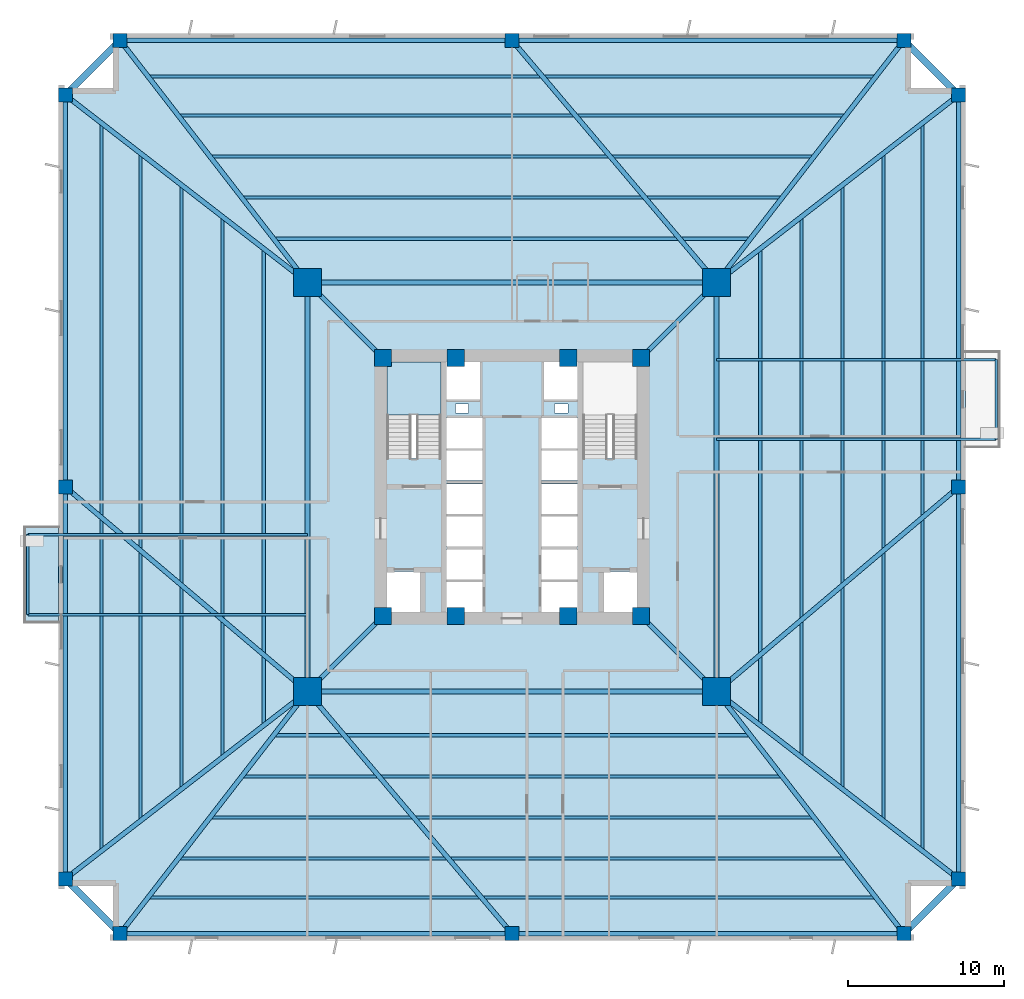
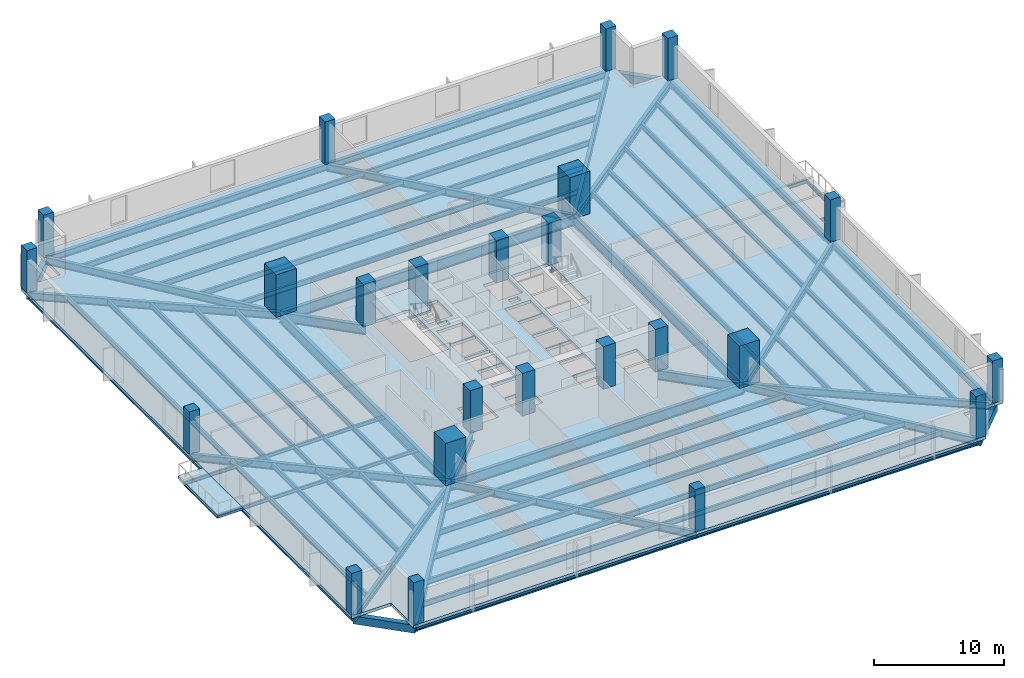
# One storey, part 1 of 9: 58 beams, 24 columns, 3 slabs, 1 element without a shape of its own.
"""IFC4 building model written with IfcOpenShell, lengths in metres."""

from ifc_helpers import new_model, si_unit, direction, frame, origin, origin_2d, place, context, subcontext, project, spatial, polyline, rectangle, i_section, outline, extrude, source, transform, mapped, material, layer, layer_set, material_profile, profile_set, type_object, element, aggregate, save


model = new_model("IFC4")

# Units and contexts
model_context = context("Model", 3, precision=1e-05, world=origin(), true_north=direction((0.0, 1.0)))
body_context = subcontext(model_context, "Body", "Model", "MODEL_VIEW")
ifc_project = project(units=[si_unit("LENGTHUNIT", "METRE"), si_unit("AREAUNIT", "SQUARE_METRE"), si_unit("VOLUMEUNIT", "CUBIC_METRE"), si_unit("PLANEANGLEUNIT", "RADIAN"), si_unit("MASSUNIT", "GRAM", prefix="KILO"), si_unit("THERMODYNAMICTEMPERATUREUNIT", "KELVIN")], contexts=[model_context])

# Site, building, storey
site_placement = place(None, origin())
site = spatial("IfcSite", under=ifc_project, at=site_placement, CompositionType="ELEMENT")
building_placement = place(site_placement, origin())
building = spatial("IfcBuilding", under=site, at=building_placement, Name="Kosmvard Interchange Tower", CompositionType="ELEMENT")
storey_placement = place(building_placement, frame((0.0, 0.0, 58.0)))
storey = spatial("IfcBuildingStorey", under=building, at=storey_placement, Name="L13", CompositionType="ELEMENT", Elevation=58.0)

# Columns
ifc_material_1 = material(Name="Concrete C80/95", Category="concrete")
ifc_material_profile_1 = material_profile(ifc_material_1, rectangle(XDim=1.10009765625, YDim=1.10009765625, at=origin_2d()), Name="CP 1100x1100")
ifc_profile_set_1 = profile_set([ifc_material_profile_1], Name="Concrete C80/95")
column_type_1 = type_object("IfcColumnType", Name="Core Boundary Pilaster 1100x1100 C80/95", PredefinedType="PILASTER", material=ifc_profile_set_1)
shared_shape_1 = source(origin(), body_context, "Body", "SweptSolid", [
    extrude(rectangle(XDim=1.10009765625, YDim=1.10009765625, at=origin_2d()), origin(), (0.0, 0.0, 1.0), 4.0),
])
for number, where, z_axis, x_axis, name in (
    (1, (-8.25, -8.25, 0.0), (0.0, 0.0, 1.0), (1.0, 0.0, 0.0), "L13 Core Pilaster CP1"),
    (2, (8.25, -8.25, 0.0), (0.0, 0.0, 1.0), (1.0, 0.0, 0.0), "L13 Core Pilaster CP2"),
    (3, (8.25, 8.25, 0.0), (0.0, 0.0, 1.0), (1.0, 0.0, 0.0), "L13 Core Pilaster CP3"),
    (4, (-8.25, 8.25, 0.0), (0.0, 0.0, 1.0), (1.0, 0.0, 0.0), "L13 Core Pilaster CP4"),
    (5, (-3.60009765625, -8.25, 0.0), (0.0, 0.0, 1.0), (1.0, 0.0, 0.0), "L13 Core Pilaster CP5"),
    (6, (3.60009765625, -8.25, 0.0), (0.0, 0.0, 1.0), (1.0, 0.0, 0.0), "L13 Core Pilaster CP6"),
    (7, (-3.60009765625, 8.25, 0.0), (0.0, 0.0, 1.0), (1.0, 0.0, 0.0), "L13 Core Pilaster CP7"),
    (8, (3.60009765625, 8.25, 0.0), (0.0, 0.0, 1.0), (1.0, 0.0, 0.0), "L13 Core Pilaster CP8"),
):
    element("IfcColumn", number, at=place(storey_placement, frame(where, z_axis=z_axis, x_axis=x_axis)), inside=storey, type_object=column_type_1, Name=name, PredefinedType="PILASTER", context=body_context, shape_type="MappedRepresentation", body=[
        mapped(shared_shape_1, transform((0.0, 0.0, 0.0), scale=1.0)),
    ])
ifc_material_profile_2 = material_profile(ifc_material_1, rectangle(XDim=1.800048828125, YDim=1.800048828125, at=origin_2d()), Name="MC 1800x1800")
ifc_profile_set_2 = profile_set([ifc_material_profile_2], Name="Concrete C80/95")
column_type_2 = type_object("IfcColumnType", Name="Composite Mega-Column 1800x1800 C80/95", PredefinedType="COLUMN", material=ifc_profile_set_2)
shared_shape_2 = source(origin(), body_context, "Body", "SweptSolid", [
    extrude(rectangle(XDim=1.800048828125, YDim=1.800048828125, at=origin_2d()), origin(), (0.0, 0.0, 1.0), 4.0),
])
for number, where, z_axis, x_axis, name in (
    (9, (-13.0810546875, -13.0810546875, 0.0), (0.0, 0.0, 1.0), (1.0, 0.0, 0.0), "L13 Corner Mega-Column MC1"),
    (10, (13.0810546875, -13.0810546875, 0.0), (0.0, 0.0, 1.0), (1.0, 0.0, 0.0), "L13 Corner Mega-Column MC2"),
    (11, (13.0810546875, 13.0810546875, 0.0), (0.0, 0.0, 1.0), (1.0, 0.0, 0.0), "L13 Corner Mega-Column MC3"),
    (12, (-13.0810546875, 13.0810546875, 0.0), (0.0, 0.0, 1.0), (1.0, 0.0, 0.0), "L13 Corner Mega-Column MC4"),
):
    element("IfcColumn", number, at=place(storey_placement, frame(where, z_axis=z_axis, x_axis=x_axis)), inside=storey, type_object=column_type_2, Name=name, PredefinedType="COLUMN", context=body_context, shape_type="MappedRepresentation", body=[
        mapped(shared_shape_2, transform((0.0, 0.0, 0.0), scale=1.0)),
    ])
ifc_material_2 = material(Name="Concrete C60/75", Category="concrete")
ifc_material_profile_3 = material_profile(ifc_material_2, rectangle(XDim=0.89990234375, YDim=0.89990234375, at=origin_2d()), Name="TC 900x900")
ifc_profile_set_3 = profile_set([ifc_material_profile_3], Name="Concrete C60/75")
column_type_3 = type_object("IfcColumnType", Name="Zone 1 Perimeter Pier Column 900x900 C60/75", PredefinedType="COLUMN", material=ifc_profile_set_3)
shared_shape_3 = source(origin(), body_context, "Body", "SweptSolid", [
    extrude(rectangle(XDim=0.89990234375, YDim=0.89990234375, at=origin_2d()), origin(), (0.0, 0.0, 1.0), 4.0),
])
for number, where, z_axis, x_axis, name in (
    (13, (-25.050048828125, -28.550048828125, 0.0), (0.0, 0.0, 1.0), (1.0, 0.0, 0.0), "L13 Perimeter Pier Column TC-S1"),
    (14, (0.0, -28.550048828125, 0.0), (0.0, 0.0, 1.0), (1.0, 0.0, 0.0), "L13 Perimeter Pier Column TC-S2"),
    (15, (25.050048828125, -28.550048828125, 0.0), (0.0, 0.0, 1.0), (1.0, 0.0, 0.0), "L13 Perimeter Pier Column TC-S3"),
    (16, (28.550048828125, -25.050048828125, 0.0), (0.0, 0.0, 1.0), (1.0, 0.0, 0.0), "L13 Perimeter Pier Column TC-E1"),
    (17, (28.550048828125, 0.0, 0.0), (0.0, 0.0, 1.0), (1.0, 0.0, 0.0), "L13 Perimeter Pier Column TC-E2"),
    (18, (28.550048828125, 25.050048828125, 0.0), (0.0, 0.0, 1.0), (1.0, 0.0, 0.0), "L13 Perimeter Pier Column TC-E3"),
    (19, (25.050048828125, 28.550048828125, 0.0), (0.0, 0.0, 1.0), (1.0, 0.0, 0.0), "L13 Perimeter Pier Column TC-N1"),
    (20, (0.0, 28.550048828125, 0.0), (0.0, 0.0, 1.0), (1.0, 0.0, 0.0), "L13 Perimeter Pier Column TC-N2"),
    (21, (-25.050048828125, 28.550048828125, 0.0), (0.0, 0.0, 1.0), (1.0, 0.0, 0.0), "L13 Perimeter Pier Column TC-N3"),
    (22, (-28.550048828125, 25.050048828125, 0.0), (0.0, 0.0, 1.0), (1.0, 0.0, 0.0), "L13 Perimeter Pier Column TC-W1"),
    (23, (-28.550048828125, 0.0, 0.0), (0.0, 0.0, 1.0), (1.0, 0.0, 0.0), "L13 Perimeter Pier Column TC-W2"),
    (24, (-28.550048828125, -25.050048828125, 0.0), (0.0, 0.0, 1.0), (1.0, 0.0, 0.0), "L13 Perimeter Pier Column TC-W3"),
):
    element("IfcColumn", number, at=place(storey_placement, frame(where, z_axis=z_axis, x_axis=x_axis)), inside=storey, type_object=column_type_3, Name=name, PredefinedType="COLUMN", context=body_context, shape_type="MappedRepresentation", body=[
        mapped(shared_shape_3, transform((0.0, 0.0, 0.0), scale=1.0)),
    ])

# Beams
ifc_material_3 = material(Name="Steel S460", Category="steel")
ifc_material_profile_4 = material_profile(ifc_material_3, i_section(OverallWidth=0.30810546875, OverallDepth=0.909912109375, WebThickness=0.02099609375, FlangeThickness=0.0400390625, FilletRadius=0.027099609375, at=origin_2d()), Name="HEM 900")
ifc_profile_set_4 = profile_set([ifc_material_profile_4], Name="Steel S460")
beam_type_1 = type_object("IfcBeamType", Name="Primary Mega-Frame Girder HEM 900 S460", PredefinedType="BEAM", material=ifc_profile_set_4)
shared_shape_4 = source(origin(), body_context, "Body", "SweptSolid", [
    extrude(i_section(OverallWidth=0.30810546875, OverallDepth=0.909912109375, WebThickness=0.02099609375, FlangeThickness=0.0400390625, FilletRadius=0.027099609375, at=origin_2d()), origin(), (0.0, 0.0, 1.0), 6.83203125),
])
for number, where, z_axis, x_axis, name in (
    (25, (-8.25, -8.25, -0.735107421875), (-0.707106781187, -0.707106781187, 0.0), (0.707106781187, -0.707106781187, 0.0), "L13 Radial Mega-Frame Girder 1"),
    (26, (8.25, -8.25, -0.735107421875), (0.707106781187, -0.707106781187, 0.0), (0.707106781187, 0.707106781187, 0.0), "L13 Radial Mega-Frame Girder 2"),
    (27, (8.25, 8.25, -0.735107421875), (0.707106781187, 0.707106781187, 0.0), (-0.707106781187, 0.707106781187, 0.0), "L13 Radial Mega-Frame Girder 3"),
    (28, (-8.25, 8.25, -0.735107421875), (-0.707106781187, 0.707106781187, 0.0), (-0.707106781187, -0.707106781187, 0.0), "L13 Radial Mega-Frame Girder 4"),
):
    element("IfcBeam", number, at=place(storey_placement, frame(where, z_axis=z_axis, x_axis=x_axis)), inside=storey, type_object=beam_type_1, Name=name, PredefinedType="BEAM", context=body_context, shape_type="MappedRepresentation", body=[
        mapped(shared_shape_4, transform((0.0, 0.0, 0.0), scale=1.0)),
    ])
ifc_material_profile_5 = material_profile(ifc_material_3, i_section(OverallWidth=0.30908203125, OverallDepth=1.008056640625, WebThickness=0.02099609375, FlangeThickness=0.0400390625, FilletRadius=0.030029296875, at=origin_2d()), Name="HEM 1000")
ifc_profile_set_5 = profile_set([ifc_material_profile_5], Name="Steel S460")
beam_type_2 = type_object("IfcBeamType", Name="Mega-Column Ring Girder HEM 1000 S460", PredefinedType="BEAM", material=ifc_profile_set_5)
shared_shape_5 = source(origin(), body_context, "Body", "SweptSolid", [
    extrude(i_section(OverallWidth=0.30908203125, OverallDepth=1.008056640625, WebThickness=0.02099609375, FlangeThickness=0.0400390625, FilletRadius=0.030029296875, at=origin_2d()), origin(), (0.0, 0.0, 1.0), 26.162109375),
])
for number, where, z_axis, x_axis, name in (
    (29, (-13.0810546875, -13.0810546875, -0.783935546875), (1.0, 0.0, 0.0), (0.0, 1.0, 0.0), "L13 Mega-Column Ring Girder 1"),
    (30, (13.0810546875, -13.0810546875, -0.783935546875), (0.0, 1.0, 0.0), (-1.0, 0.0, 0.0), "L13 Mega-Column Ring Girder 2"),
    (31, (13.0810546875, 13.0810546875, -0.783935546875), (-1.0, 0.0, 0.0), (0.0, -1.0, 0.0), "L13 Mega-Column Ring Girder 3"),
    (32, (-13.0810546875, 13.0810546875, -0.783935546875), (0.0, -1.0, 0.0), (1.0, 0.0, 0.0), "L13 Mega-Column Ring Girder 4"),
):
    element("IfcBeam", number, at=place(storey_placement, frame(where, z_axis=z_axis, x_axis=x_axis)), inside=storey, type_object=beam_type_2, Name=name, PredefinedType="BEAM", context=body_context, shape_type="MappedRepresentation", body=[
        mapped(shared_shape_5, transform((0.0, 0.0, 0.0), scale=1.0)),
    ])
ifc_material_4 = material(Name="Steel S355", Category="steel")
ifc_material_profile_6 = material_profile(ifc_material_4, i_section(OverallWidth=0.159912109375, OverallDepth=0.330078125, WebThickness=0.007568359375, FlangeThickness=0.011474609375, FilletRadius=0.01806640625, at=origin_2d()), Name="IPE 330")
ifc_profile_set_6 = profile_set([ifc_material_profile_6], Name="Steel S355")
beam_type_3 = type_object("IfcBeamType", Name="Balcony Cantilever Joist IPE 330 S355", PredefinedType="JOIST", material=ifc_profile_set_6)
shared_shape_6 = source(origin(), body_context, "Body", "SweptSolid", [
    extrude(i_section(OverallWidth=0.159912109375, OverallDepth=0.330078125, WebThickness=0.007568359375, FlangeThickness=0.011474609375, FilletRadius=0.01806640625, at=origin_2d()), origin(), (0.0, 0.0, 1.0), 17.868896484375),
])
for number, where, z_axis, x_axis, name in (
    (33, (13.0810546875, 3.050048828125, -0.445068359375), (1.0, 0.0, 0.0), (0.0, 1.0, 0.0), "BM-L13-BJ1"),
    (34, (13.0810546875, 8.14990234375, -0.445068359375), (1.0, 0.0, 0.0), (0.0, 1.0, 0.0), "BM-L13-BJB1"),
    (35, (-13.0810546875, -3.050048828125, -0.445068359375), (-1.0, 0.0, 0.0), (0.0, -1.0, 0.0), "BM-L13-BJ2"),
    (36, (-13.0810546875, -8.14990234375, -0.445068359375), (-1.0, 0.0, 0.0), (0.0, -1.0, 0.0), "BM-L13-BJB2"),
):
    element("IfcBeam", number, at=place(storey_placement, frame(where, z_axis=z_axis, x_axis=x_axis)), inside=storey, type_object=beam_type_3, Name=name, PredefinedType="JOIST", context=body_context, shape_type="MappedRepresentation", body=[
        mapped(shared_shape_6, transform((0.0, 0.0, 0.0), scale=1.0)),
    ])
ifc_material_profile_7 = material_profile(ifc_material_4, i_section(OverallWidth=0.14990234375, OverallDepth=0.300048828125, WebThickness=0.007080078125, FlangeThickness=0.0107421875, FilletRadius=0.014892578125, at=origin_2d()), Name="IPE 300")
ifc_profile_set_7 = profile_set([ifc_material_profile_7], Name="Steel S355")
beam_type_4 = type_object("IfcBeamType", Name="Balcony Edge Header Joist IPE 300 S355", PredefinedType="JOIST", material=ifc_profile_set_7)
shared_shape_7 = source(origin(), body_context, "Body", "SweptSolid", [
    extrude(i_section(OverallWidth=0.14990234375, OverallDepth=0.300048828125, WebThickness=0.007080078125, FlangeThickness=0.0107421875, FilletRadius=0.014892578125, at=origin_2d()), origin(), (0.0, 0.0, 1.0), 5.099853515625),
])
for number, where, z_axis, x_axis, name in (
    (37, (30.949951171875, 3.050048828125, -0.429931640625), (0.0, 1.0, 0.0), (-1.0, 0.0, 0.0), "BM-L13-BJH1"),
    (38, (-30.949951171875, -3.050048828125, -0.429931640625), (0.0, -1.0, 0.0), (1.0, 0.0, 0.0), "BM-L13-BJH2"),
):
    element("IfcBeam", number, at=place(storey_placement, frame(where, z_axis=z_axis, x_axis=x_axis)), inside=storey, type_object=beam_type_4, Name=name, PredefinedType="JOIST", context=body_context, shape_type="MappedRepresentation", body=[
        mapped(shared_shape_7, transform((0.0, 0.0, 0.0), scale=1.0)),
    ])
ifc_material_profile_8 = material_profile(ifc_material_4, i_section(OverallWidth=0.300048828125, OverallDepth=0.60009765625, WebThickness=0.015380859375, FlangeThickness=0.030029296875, FilletRadius=0.027099609375, at=origin_2d()), Name="HEB 600")
ifc_profile_set_8 = profile_set([ifc_material_profile_8], Name="Steel S355")
beam_type_5 = type_object("IfcBeamType", Name="Perimeter Tie Girder HEB 600 S355", PredefinedType="BEAM", material=ifc_profile_set_8)
shared_shape_8 = source(origin(), body_context, "Body", "SweptSolid", [
    extrude(i_section(OverallWidth=0.300048828125, OverallDepth=0.60009765625, WebThickness=0.015380859375, FlangeThickness=0.030029296875, FilletRadius=0.027099609375, at=origin_2d()), origin(), (0.0, 0.0, 1.0), 25.050048828125),
])
for number, where, z_axis, x_axis, name in (
    (39, (-25.050048828125, -28.550048828125, -0.580078125), (1.0, 0.0, 0.0), (0.0, 1.0, 0.0), "BM-L13-PR01"),
    (40, (0.0, -28.550048828125, -0.580078125), (1.0, 0.0, 0.0), (0.0, 1.0, 0.0), "BM-L13-PR02"),
    (41, (28.550048828125, -25.050048828125, -0.580078125), (0.0, 1.0, 0.0), (-1.0, 0.0, 0.0), "BM-L13-PR04"),
    (42, (28.550048828125, 0.0, -0.580078125), (0.0, 1.0, 0.0), (-1.0, 0.0, 0.0), "BM-L13-PR05"),
    (43, (25.050048828125, 28.550048828125, -0.580078125), (-1.0, 0.0, 0.0), (0.0, -1.0, 0.0), "BM-L13-PR07"),
    (44, (0.0, 28.550048828125, -0.580078125), (-1.0, 0.0, 0.0), (0.0, -1.0, 0.0), "BM-L13-PR08"),
    (45, (-28.550048828125, 25.050048828125, -0.580078125), (0.0, -1.0, 0.0), (1.0, 0.0, 0.0), "BM-L13-PR10"),
    (46, (-28.550048828125, 0.0, -0.580078125), (0.0, -1.0, 0.0), (1.0, 0.0, 0.0), "BM-L13-PR11"),
):
    element("IfcBeam", number, at=place(storey_placement, frame(where, z_axis=z_axis, x_axis=x_axis)), inside=storey, type_object=beam_type_5, Name=name, PredefinedType="BEAM", context=body_context, shape_type="MappedRepresentation", body=[
        mapped(shared_shape_8, transform((0.0, 0.0, 0.0), scale=1.0)),
    ])
ifc_material_profile_9 = material_profile(ifc_material_4, i_section(OverallWidth=0.300048828125, OverallDepth=0.699951171875, WebThickness=0.01708984375, FlangeThickness=0.031982421875, FilletRadius=0.027099609375, at=origin_2d()), Name="HEB 700")
ifc_profile_set_9 = profile_set([ifc_material_profile_9], Name="Steel S355")
beam_type_6 = type_object("IfcBeamType", Name="Primary Floor Girder HEB 700 S355", PredefinedType="BEAM", material=ifc_profile_set_9)
shared_shape_9 = source(origin(), body_context, "Body", "SweptSolid", [
    extrude(i_section(OverallWidth=0.300048828125, OverallDepth=0.699951171875, WebThickness=0.01708984375, FlangeThickness=0.031982421875, FilletRadius=0.027099609375, at=origin_2d()), origin(), (0.0, 0.0, 1.0), 19.558837890625),
])
for number, where, z_axis, x_axis, name in (
    (47, (-13.0810546875, -13.0810546875, -0.6298828125), (-0.611949354357, -0.79089695138, 0.0), (0.79089695138, -0.611949354357, 0.0), "BM-L13-RD01"),
    (48, (13.0810546875, -13.0810546875, -0.6298828125), (0.611949354357, -0.79089695138, 0.0), (0.79089695138, 0.611949354357, 0.0), "BM-L13-RD03"),
    (49, (13.0810546875, -13.0810546875, -0.6298828125), (0.79089695138, -0.611949354357, 0.0), (0.611949354357, 0.79089695138, 0.0), "BM-L13-RD04"),
    (50, (13.0810546875, 13.0810546875, -0.6298828125), (0.79089695138, 0.611949354357, 0.0), (-0.611949354357, 0.79089695138, 0.0), "BM-L13-RD06"),
    (51, (13.0810546875, 13.0810546875, -0.6298828125), (0.611949354357, 0.79089695138, 0.0), (-0.79089695138, 0.611949354357, 0.0), "BM-L13-RD07"),
    (52, (-13.0810546875, 13.0810546875, -0.6298828125), (-0.611949354357, 0.79089695138, 0.0), (-0.79089695138, -0.611949354357, 0.0), "BM-L13-RD09"),
    (53, (-13.0810546875, 13.0810546875, -0.6298828125), (-0.79089695138, 0.611949354357, 0.0), (-0.611949354357, -0.79089695138, 0.0), "BM-L13-RD10"),
    (54, (-13.0810546875, -13.0810546875, -0.6298828125), (-0.79089695138, -0.611949354357, 0.0), (0.611949354357, -0.79089695138, 0.0), "BM-L13-RD12"),
):
    element("IfcBeam", number, at=place(storey_placement, frame(where, z_axis=z_axis, x_axis=x_axis)), inside=storey, type_object=beam_type_6, Name=name, PredefinedType="BEAM", context=body_context, shape_type="MappedRepresentation", body=[
        mapped(shared_shape_9, transform((0.0, 0.0, 0.0), scale=1.0)),
    ])
shared_shape_10 = source(origin(), body_context, "Body", "SweptSolid", [
    extrude(i_section(OverallWidth=0.300048828125, OverallDepth=0.699951171875, WebThickness=0.01708984375, FlangeThickness=0.031982421875, FilletRadius=0.027099609375, at=origin_2d()), origin(), (0.0, 0.0, 1.0), 20.258544921875),
])
for number, where, z_axis, x_axis, name in (
    (55, (-13.0810546875, -13.0810546875, -0.6298828125), (0.645709371734, -0.763583268056, 0.0), (0.763583268056, 0.645709371734, 0.0), "BM-L13-RD02"),
    (56, (13.0810546875, -13.0810546875, -0.6298828125), (0.763583268056, 0.645709371734, 0.0), (-0.645709371734, 0.763583268056, 0.0), "BM-L13-RD05"),
    (57, (13.0810546875, 13.0810546875, -0.6298828125), (-0.645709371734, 0.763583268056, 0.0), (-0.763583268056, -0.645709371734, 0.0), "BM-L13-RD08"),
    (58, (-13.0810546875, -13.0810546875, -0.6298828125), (-0.763583268056, 0.645709371734, 0.0), (-0.645709371734, -0.763583268056, 0.0), "BM-L13-RD11"),
):
    element("IfcBeam", number, at=place(storey_placement, frame(where, z_axis=z_axis, x_axis=x_axis)), inside=storey, type_object=beam_type_6, Name=name, PredefinedType="BEAM", context=body_context, shape_type="MappedRepresentation", body=[
        mapped(shared_shape_10, transform((0.0, 0.0, 0.0), scale=1.0)),
    ])
ifc_material_5 = material(Name="Precast concrete C45/55", Category="concrete")
ifc_material_profile_10 = material_profile(ifc_material_5, rectangle(XDim=0.449951171875, YDim=0.75, at=origin_2d()), Name="SL 450x750")
ifc_profile_set_10 = profile_set([ifc_material_profile_10], Name="Precast concrete C45/55")
beam_type_7 = type_object("IfcBeamType", Name="Precast Spandrel Lintel 450x750 C45/55", PredefinedType="LINTEL", material=ifc_profile_set_10)
shared_shape_11 = source(origin(), body_context, "Body", "SweptSolid", [
    extrude(rectangle(XDim=0.449951171875, YDim=0.75, at=origin_2d()), origin(), (0.0, 0.0, 1.0), 4.94970703125),
])
for number, where, z_axis, x_axis, name in (
    (59, (25.050048828125, -28.550048828125, -0.655029296875), (0.707106781187, 0.707106781187, 0.0), (-0.707106781187, 0.707106781187, 0.0), "BM-L13-SL1"),
    (60, (28.550048828125, 25.050048828125, -0.655029296875), (-0.707106781187, 0.707106781187, 0.0), (-0.707106781187, -0.707106781187, 0.0), "BM-L13-SL2"),
    (61, (-25.050048828125, 28.550048828125, -0.655029296875), (-0.707106781187, -0.707106781187, 0.0), (0.707106781187, -0.707106781187, 0.0), "BM-L13-SL3"),
    (62, (-28.550048828125, -25.050048828125, -0.655029296875), (0.707106781187, -0.707106781187, 0.0), (0.707106781187, 0.707106781187, 0.0), "BM-L13-SL4"),
):
    element("IfcBeam", number, at=place(storey_placement, frame(where, z_axis=z_axis, x_axis=x_axis)), inside=storey, type_object=beam_type_7, Name=name, PredefinedType="LINTEL", context=body_context, shape_type="MappedRepresentation", body=[
        mapped(shared_shape_11, transform((0.0, 0.0, 0.0), scale=1.0)),
    ])
ifc_material_profile_11 = material_profile(ifc_material_4, i_section(OverallWidth=0.199951171875, OverallDepth=0.5, WebThickness=0.01025390625, FlangeThickness=0.01611328125, FilletRadius=0.02099609375, at=origin_2d()), Name="IPE 500")
ifc_profile_set_11 = profile_set([ifc_material_profile_11], Name="Steel S355")
beam_type_8 = type_object("IfcBeamType", Name="Standard Floor Joist IPE 500 S355", PredefinedType="JOIST", material=ifc_profile_set_11)
shared_shape_12 = source(origin(), body_context, "Body", "SweptSolid", [
    extrude(i_section(OverallWidth=0.199951171875, OverallDepth=0.5, WebThickness=0.01025390625, FlangeThickness=0.01611328125, FilletRadius=0.02099609375, at=origin_2d()), origin(), (0.0, 0.0, 1.0), 30.31103515625),
])
for number, where, z_axis, x_axis, name in (
    (63, (-15.155517578125, -15.865478515625, -0.530029296875), (1.0, 0.0, 0.0), (0.0, 1.0, 0.0), "BM-L13-FJ01"),
    (64, (15.865478515625, -15.155517578125, -0.530029296875), (0.0, 1.0, 0.0), (-1.0, 0.0, 0.0), "BM-L13-FJ06"),
    (65, (15.155517578125, 15.865478515625, -0.530029296875), (-1.0, 0.0, 0.0), (0.0, -1.0, 0.0), "BM-L13-FJ11"),
    (66, (-15.865478515625, 15.155517578125, -0.530029296875), (0.0, -1.0, 0.0), (1.0, 0.0, 0.0), "BM-L13-FJ16"),
):
    element("IfcBeam", number, at=place(storey_placement, frame(where, z_axis=z_axis, x_axis=x_axis)), inside=storey, type_object=beam_type_8, Name=name, PredefinedType="JOIST", context=body_context, shape_type="MappedRepresentation", body=[
        mapped(shared_shape_12, transform((0.0, 0.0, 0.0), scale=1.0)),
    ])
shared_shape_13 = source(origin(), body_context, "Body", "SweptSolid", [
    extrude(i_section(OverallWidth=0.199951171875, OverallDepth=0.5, WebThickness=0.01025390625, FlangeThickness=0.01611328125, FilletRadius=0.02099609375, at=origin_2d()), origin(), (0.0, 0.0, 1.0), 34.38037109375),
])
for number, where, z_axis, x_axis, name in (
    (67, (-17.190185546875, -18.4951171875, -0.530029296875), (1.0, 0.0, 0.0), (0.0, 1.0, 0.0), "BM-L13-FJ02"),
    (68, (18.4951171875, -17.190185546875, -0.530029296875), (0.0, 1.0, 0.0), (-1.0, 0.0, 0.0), "BM-L13-FJ07"),
    (69, (17.190185546875, 18.4951171875, -0.530029296875), (-1.0, 0.0, 0.0), (0.0, -1.0, 0.0), "BM-L13-FJ12"),
    (70, (-18.4951171875, 17.190185546875, -0.530029296875), (0.0, -1.0, 0.0), (1.0, 0.0, 0.0), "BM-L13-FJ17"),
):
    element("IfcBeam", number, at=place(storey_placement, frame(where, z_axis=z_axis, x_axis=x_axis)), inside=storey, type_object=beam_type_8, Name=name, PredefinedType="JOIST", context=body_context, shape_type="MappedRepresentation", body=[
        mapped(shared_shape_13, transform((0.0, 0.0, 0.0), scale=1.0)),
    ])
shared_shape_14 = source(origin(), body_context, "Body", "SweptSolid", [
    extrude(i_section(OverallWidth=0.199951171875, OverallDepth=0.5, WebThickness=0.01025390625, FlangeThickness=0.01611328125, FilletRadius=0.02099609375, at=origin_2d()), origin(), (0.0, 0.0, 1.0), 38.44970703125),
])
for number, where, z_axis, x_axis, name in (
    (71, (-19.224853515625, -21.125, -0.530029296875), (1.0, 0.0, 0.0), (0.0, 1.0, 0.0), "BM-L13-FJ03"),
    (72, (21.125, -19.224853515625, -0.530029296875), (0.0, 1.0, 0.0), (-1.0, 0.0, 0.0), "BM-L13-FJ08"),
    (73, (19.224853515625, 21.125, -0.530029296875), (-1.0, 0.0, 0.0), (0.0, -1.0, 0.0), "BM-L13-FJ13"),
    (74, (-21.125, 19.224853515625, -0.530029296875), (0.0, -1.0, 0.0), (1.0, 0.0, 0.0), "BM-L13-FJ18"),
):
    element("IfcBeam", number, at=place(storey_placement, frame(where, z_axis=z_axis, x_axis=x_axis)), inside=storey, type_object=beam_type_8, Name=name, PredefinedType="JOIST", context=body_context, shape_type="MappedRepresentation", body=[
        mapped(shared_shape_14, transform((0.0, 0.0, 0.0), scale=1.0)),
    ])
shared_shape_15 = source(origin(), body_context, "Body", "SweptSolid", [
    extrude(i_section(OverallWidth=0.199951171875, OverallDepth=0.5, WebThickness=0.01025390625, FlangeThickness=0.01611328125, FilletRadius=0.02099609375, at=origin_2d()), origin(), (0.0, 0.0, 1.0), 42.51904296875),
])
for number, where, z_axis, x_axis, name in (
    (75, (-21.259521484375, -23.754638671875, -0.530029296875), (1.0, 0.0, 0.0), (0.0, 1.0, 0.0), "BM-L13-FJ04"),
    (76, (23.754638671875, -21.259521484375, -0.530029296875), (0.0, 1.0, 0.0), (-1.0, 0.0, 0.0), "BM-L13-FJ09"),
    (77, (21.259521484375, 23.754638671875, -0.530029296875), (-1.0, 0.0, 0.0), (0.0, -1.0, 0.0), "BM-L13-FJ14"),
    (78, (-23.754638671875, 21.259521484375, -0.530029296875), (0.0, -1.0, 0.0), (1.0, 0.0, 0.0), "BM-L13-FJ19"),
):
    element("IfcBeam", number, at=place(storey_placement, frame(where, z_axis=z_axis, x_axis=x_axis)), inside=storey, type_object=beam_type_8, Name=name, PredefinedType="JOIST", context=body_context, shape_type="MappedRepresentation", body=[
        mapped(shared_shape_15, transform((0.0, 0.0, 0.0), scale=1.0)),
    ])
shared_shape_16 = source(origin(), body_context, "Body", "SweptSolid", [
    extrude(i_section(OverallWidth=0.199951171875, OverallDepth=0.5, WebThickness=0.01025390625, FlangeThickness=0.01611328125, FilletRadius=0.02099609375, at=origin_2d()), origin(), (0.0, 0.0, 1.0), 46.34912109375),
])
for number, where, z_axis, x_axis, name in (
    (79, (-23.174560546875, -26.229736328125, -0.530029296875), (1.0, 0.0, 0.0), (0.0, 1.0, 0.0), "BM-L13-FJ05"),
    (80, (26.229736328125, -23.174560546875, -0.530029296875), (0.0, 1.0, 0.0), (-1.0, 0.0, 0.0), "BM-L13-FJ10"),
    (81, (23.174560546875, 26.229736328125, -0.530029296875), (-1.0, 0.0, 0.0), (0.0, -1.0, 0.0), "BM-L13-FJ15"),
    (82, (-26.229736328125, 23.174560546875, -0.530029296875), (0.0, -1.0, 0.0), (1.0, 0.0, 0.0), "BM-L13-FJ20"),
):
    element("IfcBeam", number, at=place(storey_placement, frame(where, z_axis=z_axis, x_axis=x_axis)), inside=storey, type_object=beam_type_8, Name=name, PredefinedType="JOIST", context=body_context, shape_type="MappedRepresentation", body=[
        mapped(shared_shape_16, transform((0.0, 0.0, 0.0), scale=1.0)),
    ])

# Slab
ifc_material_6 = material(Name="Concrete C50/60", Category="concrete")
ifc_layer_1 = layer(ifc_material_6, 0.280029296875, Name="Concrete C50/60")
ifc_layer_set_1 = layer_set([ifc_layer_1], Name="Concrete C50/60")
slab_type_1 = type_object("IfcSlabType", Name="Low-Rise Office Composite Slab 280 C50/60", PredefinedType="FLOOR", material=ifc_layer_set_1)
slab_1_placement = place(storey_placement, frame((0.0, 0.0, -0.280029296875)))
element("IfcSlab", 83, at=slab_1_placement, inside=storey, type_object=slab_type_1, Name="L13 Structural Floor Slab", PredefinedType="FLOOR", context=body_context, shape_type="SweptSolid", body=[
    extrude(outline(polyline([(-25.5, -29.0), (25.5, -29.0), (25.5, -25.5), (29.0, -25.5), (29.0, 25.5), (25.5, 25.5), (25.5, 29.0), (-25.5, 29.0), (-25.5, 25.5), (-29.0, 25.5), (-29.0, -25.5), (-25.5, -25.5), (-25.5, -29.0)]), holes=[polyline([(-8.0, 1.8349609375), (-4.5400390625, 1.8349609375), (-4.5400390625, 8.0), (-8.0, 8.0), (-8.0, 1.8349609375)]), polyline([(4.5400390625, 1.8349609375), (8.0, 1.8349609375), (8.0, 8.0), (4.5400390625, 8.0), (4.5400390625, 1.8349609375)]), polyline([(-8.0, -8.0), (-5.800048828125, -8.0), (-5.800048828125, -5.39990234375), (-8.0, -5.39990234375), (-8.0, -8.0)]), polyline([(5.800048828125, -8.0), (8.0, -8.0), (8.0, -5.39990234375), (5.800048828125, -5.39990234375), (5.800048828125, -8.0)]), polyline([(-4.179931640625, -8.0), (-1.8798828125, -8.0), (-1.8798828125, -6.06005859375), (-4.179931640625, -6.06005859375), (-4.179931640625, -8.0)]), polyline([(-4.179931640625, -5.93994140625), (-1.8798828125, -5.93994140625), (-1.8798828125, -4.0), (-4.179931640625, -4.0), (-4.179931640625, -5.93994140625)]), polyline([(1.8798828125, -8.0), (4.179931640625, -8.0), (4.179931640625, -6.06005859375), (1.8798828125, -6.06005859375), (1.8798828125, -8.0)]), polyline([(1.8798828125, -5.93994140625), (4.179931640625, -5.93994140625), (4.179931640625, -4.0), (1.8798828125, -4.0), (1.8798828125, -5.93994140625)]), polyline([(-4.179931640625, -3.800048828125), (-1.8798828125, -3.800048828125), (-1.8798828125, -1.860107421875), (-4.179931640625, -1.860107421875), (-4.179931640625, -3.800048828125)]), polyline([(-4.179931640625, -1.739990234375), (-1.8798828125, -1.739990234375), (-1.8798828125, 0.199951171875), (-4.179931640625, 0.199951171875), (-4.179931640625, -1.739990234375)]), polyline([(1.8798828125, -3.800048828125), (4.179931640625, -3.800048828125), (4.179931640625, -1.860107421875), (1.8798828125, -1.860107421875), (1.8798828125, -3.800048828125)]), polyline([(1.8798828125, -1.739990234375), (4.179931640625, -1.739990234375), (4.179931640625, 0.199951171875), (1.8798828125, 0.199951171875), (1.8798828125, -1.739990234375)]), polyline([(-4.179931640625, 0.39990234375), (-1.8798828125, 0.39990234375), (-1.8798828125, 2.340087890625), (-4.179931640625, 2.340087890625), (-4.179931640625, 0.39990234375)]), polyline([(-4.179931640625, 2.4599609375), (-1.8798828125, 2.4599609375), (-1.8798828125, 4.39990234375), (-4.179931640625, 4.39990234375), (-4.179931640625, 2.4599609375)]), polyline([(1.8798828125, 0.39990234375), (4.179931640625, 0.39990234375), (4.179931640625, 2.340087890625), (1.8798828125, 2.340087890625), (1.8798828125, 0.39990234375)]), polyline([(1.8798828125, 2.4599609375), (4.179931640625, 2.4599609375), (4.179931640625, 4.39990234375), (1.8798828125, 4.39990234375), (1.8798828125, 2.4599609375)]), polyline([(-4.179931640625, 5.60009765625), (-2.0400390625, 5.60009765625), (-2.0400390625, 8.0), (-4.179931640625, 8.0), (-4.179931640625, 5.60009765625)]), polyline([(2.0400390625, 5.60009765625), (4.179931640625, 5.60009765625), (4.179931640625, 8.0), (2.0400390625, 8.0), (2.0400390625, 5.60009765625)]), polyline([(-3.614990234375, 4.739990234375), (-2.764892578125, 4.739990234375), (-2.764892578125, 5.2900390625), (-3.614990234375, 5.2900390625), (-3.614990234375, 4.739990234375)]), polyline([(2.715087890625, 4.739990234375), (3.56494140625, 4.739990234375), (3.56494140625, 5.2900390625), (2.715087890625, 5.2900390625), (2.715087890625, 4.739990234375)])]), origin(), (0.0, 0.0, 1.0), 0.280029296875),
])

# Stair, slab
stair_type = type_object("IfcStairType", Name="Dog-Leg Core Exit Stair H4000 C50/60", PredefinedType="HALF_TURN_STAIR", material=ifc_material_6)
stair_placement = place(storey_placement, origin())
stair = element("IfcStair", 84, at=stair_placement, inside=storey, type_object=stair_type, Name="L13 Protected Exit Stair ST-1", PredefinedType="HALF_TURN_STAIR")
ifc_layer_2 = layer(ifc_material_6, 0.199951171875, Name="Concrete C50/60")
ifc_layer_set_2 = layer_set([ifc_layer_2], Name="Concrete C50/60")
slab_type_2 = type_object("IfcSlabType", Name="Stair Half-Landing Slab 200 C50/60", PredefinedType="LANDING", material=ifc_layer_set_2)
slab_2_placement = place(storey_placement, frame((0.0, 0.0, 1.800048828125)))
slab_2 = element("IfcSlab", 85, at=slab_2_placement, type_object=slab_type_2, Name="ST-1 landing 1", PredefinedType="LANDING", context=body_context, shape_type="SweptSolid", body=[
    extrude(outline(polyline([(-4.5400390625, 4.60009765625), (-4.5400390625, 8.0), (-8.0, 8.0), (-8.0, 4.60009765625), (-4.5400390625, 4.60009765625)])), origin(), (0.0, 0.0, 1.0), 0.199951171875),
])
aggregate(stair, [slab_2])

# Slab
ifc_layer_3 = layer(ifc_material_6, 0.22998046875, Name="Concrete C50/60")
ifc_layer_set_3 = layer_set([ifc_layer_3], Name="Concrete C50/60")
slab_type_3 = type_object("IfcSlabType", Name="Tree-Planter Cantilever Balcony Slab 230 C50/60", PredefinedType="FLOOR", material=ifc_layer_set_3)
slab_3_placement = place(storey_placement, frame((0.0, 0.0, -0.22998046875)))
element("IfcSlab", 86, at=slab_3_placement, inside=storey, type_object=slab_type_3, Name="L13 Outdoor Terrace Balcony Slab BAL-L13-W", PredefinedType="FLOOR", context=body_context, shape_type="SweptSolid", body=[
    extrude(outline(polyline([(-31.199951171875, -8.699951171875), (-29.0, -8.699951171875), (-29.0, -2.5), (-31.199951171875, -2.5), (-31.199951171875, -8.699951171875)])), origin(), (0.0, 0.0, 1.0), 0.22998046875),
])

save(model, "model.ifc")
